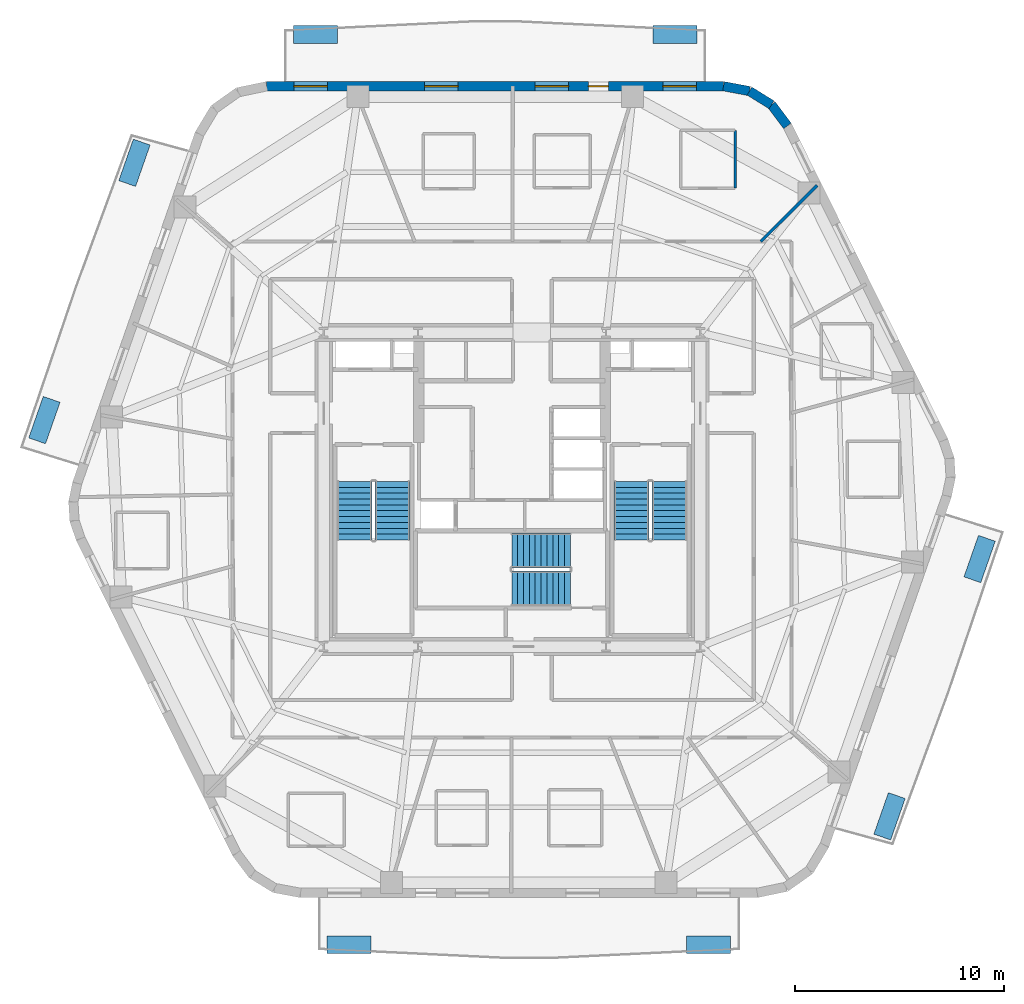
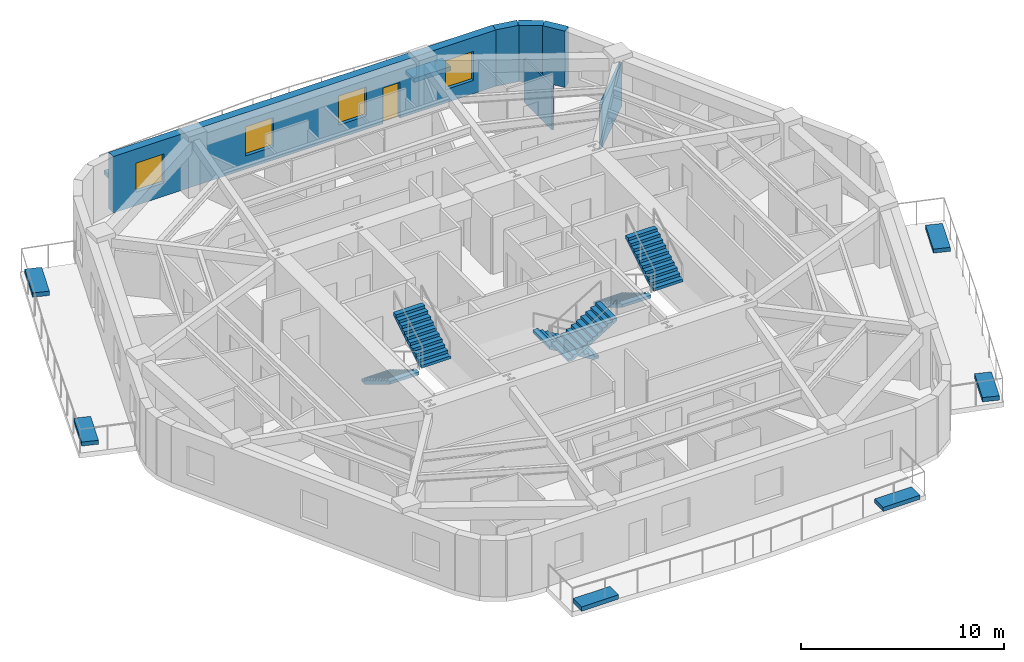
# One storey, part 7 of 11: 8 discrete accessories, 6 stair flights, 6 walls, 4 windows, 1 door, 5 openings, 3 elements without a shape of their own.
"""IFC4 building model written with IfcOpenShell, lengths in metres."""

from ifc_helpers import new_model, si_unit, direction, frame, frame_2d, origin, origin_2d, place, context, subcontext, project, spatial, polyline, rectangle, outline, extrude, material, layer, layer_set, type_object, element, fill, aggregate, save


model = new_model("IFC4")

# Units and contexts
model_context = context("Model", 3, precision=1e-05, world=origin(), true_north=direction((0.0, 1.0)))
body_context = subcontext(model_context, "Body", "Model", "MODEL_VIEW")
ifc_project = project(units=[si_unit("LENGTHUNIT", "METRE"), si_unit("AREAUNIT", "SQUARE_METRE"), si_unit("VOLUMEUNIT", "CUBIC_METRE"), si_unit("PLANEANGLEUNIT", "RADIAN"), si_unit("MASSUNIT", "GRAM", prefix="KILO")], contexts=[model_context])

# Site, building, storey
site_placement = place(None, origin())
site = spatial("IfcSite", under=ifc_project, at=site_placement, CompositionType="ELEMENT")
building_placement = place(site_placement, origin())
building = spatial("IfcBuilding", under=site, at=building_placement, Name="Kilnhurst Terrace Hotel", CompositionType="ELEMENT")
storey_placement = place(building_placement, frame((0.0, 0.0, 162.800048828125)))
storey = spatial("IfcBuildingStorey", under=building, at=storey_placement, Name="L40", CompositionType="ELEMENT", Elevation=162.800048828125)

# Walls
ifc_material_1 = material(Name="Precast concrete C40/50", Category="concrete")
ifc_layer_1 = layer(ifc_material_1, 0.449951171875, Name="Precast concrete C40/50")
ifc_layer_set_1 = layer_set([ifc_layer_1], Name="Precast concrete C40/50")
wall_type_1 = type_object("IfcWallType", Name="WL-BRK-450", PredefinedType="SOLIDWALL", material=ifc_layer_set_1)
wall_1_placement = place(storey_placement, frame((13.162353515625, 17.380615234375, 0.0), z_axis=(0.0, 0.0, 1.0), x_axis=(-0.601515770517, 0.798860925205, 0.0)))
element("IfcWall", 1, at=wall_1_placement, inside=storey, type_object=wall_type_1, Name="L40 Rounded Corner Brick Wall C4.1", PredefinedType="SOLIDWALL", context=body_context, shape_type="SweptSolid", body=[
    extrude(rectangle(XDim=1.261962890625, YDim=0.449951171875, at=frame_2d((0.630859375, 0.0))), origin(), (0.0, 0.0, 1.0), 3.39990234375),
])
wall_2_placement = place(storey_placement, frame((12.4033203125, 18.388671875, 0.0), z_axis=(0.0, 0.0, 1.0), x_axis=(-0.849795170926, 0.527113049991, 0.0)))
element("IfcWall", 2, at=wall_2_placement, inside=storey, type_object=wall_type_1, Name="L40 Rounded Corner Brick Wall C4.2", PredefinedType="SOLIDWALL", context=body_context, shape_type="SweptSolid", body=[
    extrude(rectangle(XDim=1.24072265625, YDim=0.449951171875, at=frame_2d((0.620361328125, 0.0))), origin(), (0.0, 0.0, 1.0), 3.39990234375),
])
wall_3_placement = place(storey_placement, frame((11.348876953125, 19.042724609375, 0.0), z_axis=(0.0, 0.0, 1.0), x_axis=(-0.982931267051, 0.183973161772, 0.0)))
element("IfcWall", 3, at=wall_3_placement, inside=storey, type_object=wall_type_1, Name="L40 Rounded Corner Brick Wall C4.3", PredefinedType="SOLIDWALL", context=body_context, shape_type="SweptSolid", body=[
    extrude(rectangle(XDim=1.261962890625, YDim=0.449951171875, at=frame_2d((0.630859375, 0.0))), origin(), (0.0, 0.0, 1.0), 3.39990234375),
])

# Wall, openings, door, windows
wall_4_placement = place(storey_placement, frame((10.1083984375, 19.27490234375, 0.0), z_axis=(0.0, 0.0, 1.0), x_axis=(-1.0, 0.0, 0.0)))
wall_4 = element("IfcWall", 4, at=wall_4_placement, inside=storey, type_object=wall_type_1, Name="L40 Exterior Brick Facade Wall F4", PredefinedType="SOLIDWALL", context=body_context, shape_type="SweptSolid", body=[
    extrude(rectangle(XDim=21.828857421875, YDim=0.449951171875, at=frame_2d((10.91455078125, 0.0))), origin(), (0.0, 0.0, 1.0), 3.39990234375),
])
opening_1_placement = place(wall_4_placement, frame((5.5029296875, 0.0, 0.0)))
opening_1 = element("IfcOpeningElement", 5, at=opening_1_placement, cuts=wall_4, Name="Opening BD-950", PredefinedType="OPENING", context=body_context, shape_type="SweptSolid", body=[
    extrude(rectangle(XDim=0.949951171875, YDim=2.14990234375, at=frame_2d((0.47509765625, 1.074951171875))), frame((0.0, 0.23486328125, 0.0), z_axis=(0.0, -1.0, 0.0), x_axis=(1.0, 0.0, 0.0)), (0.0, 0.0, 1.0), 0.469970703125),
])
opening_2_placement = place(wall_4_placement, frame((1.297119140625, 0.0, 0.800048828125)))
opening_2 = element("IfcOpeningElement", 6, at=opening_2_placement, cuts=wall_4, Name="Opening W-05", PredefinedType="OPENING", context=body_context, shape_type="SweptSolid", body=[
    extrude(rectangle(XDim=1.60009765625, YDim=1.75, at=frame_2d((0.800048828125, 0.875))), frame((0.0, 0.23486328125, 0.0), z_axis=(0.0, -1.0, 0.0), x_axis=(1.0, 0.0, 0.0)), (0.0, 0.0, 1.0), 0.469970703125),
])
opening_3_placement = place(wall_4_placement, frame((7.402099609375, 0.0, 0.800048828125)))
opening_3 = element("IfcOpeningElement", 7, at=opening_3_placement, cuts=wall_4, Name="Opening W-05", PredefinedType="OPENING", context=body_context, shape_type="SweptSolid", body=[
    extrude(rectangle(XDim=1.60009765625, YDim=1.75, at=frame_2d((0.800048828125, 0.875))), frame((0.0, 0.23486328125, 0.0), z_axis=(0.0, -1.0, 0.0), x_axis=(1.0, 0.0, 0.0)), (0.0, 0.0, 1.0), 0.469970703125),
])
opening_4_placement = place(wall_4_placement, frame((12.68408203125, 0.0, 0.800048828125)))
opening_4 = element("IfcOpeningElement", 8, at=opening_4_placement, cuts=wall_4, Name="Opening W-05", PredefinedType="OPENING", context=body_context, shape_type="SweptSolid", body=[
    extrude(rectangle(XDim=1.60009765625, YDim=1.75, at=frame_2d((0.800048828125, 0.875))), frame((0.0, 0.23486328125, 0.0), z_axis=(0.0, -1.0, 0.0), x_axis=(1.0, 0.0, 0.0)), (0.0, 0.0, 1.0), 0.469970703125),
])
opening_5_placement = place(wall_4_placement, frame((18.93310546875, 0.0, 0.800048828125)))
opening_5 = element("IfcOpeningElement", 9, at=opening_5_placement, cuts=wall_4, Name="Opening W-05", PredefinedType="OPENING", context=body_context, shape_type="SweptSolid", body=[
    extrude(rectangle(XDim=1.60009765625, YDim=1.75, at=frame_2d((0.800048828125, 0.875))), frame((0.0, 0.23486328125, 0.0), z_axis=(0.0, -1.0, 0.0), x_axis=(1.0, 0.0, 0.0)), (0.0, 0.0, 1.0), 0.469970703125),
])
ifc_material_2 = material(Name="Thermally Broken Bronze Aluminium Alloy 6063-T6 and Laminated Glass", Category="aluminium")
door_type = type_object("IfcDoorType", Name="DR-EXT-BAL-950", OperationType="NOTDEFINED", PredefinedType="DOOR", material=ifc_material_2)
door_placement = place(opening_1_placement, origin())
door = element("IfcDoor", 10, at=door_placement, inside=storey, type_object=door_type, Name="L40 Planted Balcony Door BAL-L2A", OperationType="SINGLE_SWING_RIGHT", OverallHeight=2.14990234375, OverallWidth=0.949951171875, PredefinedType="DOOR", context=body_context, shape_type="SweptSolid", body=[
    extrude(rectangle(XDim=0.949951171875, YDim=2.14990234375, at=frame_2d((0.47509765625, 1.074951171875))), frame((0.0, 0.02490234375, 0.0), z_axis=(0.0, -1.0, 0.0), x_axis=(1.0, 0.0, 0.0)), (0.0, 0.0, 1.0), 0.050048828125),
])
fill(opening_1, door)
ifc_material_3 = material(Name="Thermally Broken Bronze Aluminium Alloy 6063-T6 and Low-E Glass", Category="aluminium")
window_type = type_object("IfcWindowType", Name="WIN-1600X1750", PartitioningType="SINGLE_PANEL", PredefinedType="WINDOW", material=ifc_material_3)
window_1_placement = place(opening_2_placement, origin())
window_1 = element("IfcWindow", 11, at=window_1_placement, inside=storey, type_object=window_type, Name="L40 Deep-Set Masonry Window F4.1", OverallHeight=1.75, OverallWidth=1.60009765625, PartitioningType="SINGLE_PANEL", PredefinedType="WINDOW", context=body_context, shape_type="SweptSolid", body=[
    extrude(rectangle(XDim=1.60009765625, YDim=1.75, at=frame_2d((0.800048828125, 0.875))), frame((0.0, 0.030029296875, 0.0), z_axis=(0.0, -1.0, 0.0), x_axis=(1.0, 0.0, 0.0)), (0.0, 0.0, 1.0), 0.06005859375),
])
fill(opening_2, window_1)
window_2_placement = place(opening_3_placement, origin())
window_2 = element("IfcWindow", 12, at=window_2_placement, inside=storey, type_object=window_type, Name="L40 Deep-Set Masonry Window F4.2", OverallHeight=1.75, OverallWidth=1.60009765625, PartitioningType="SINGLE_PANEL", PredefinedType="WINDOW", context=body_context, shape_type="SweptSolid", body=[
    extrude(rectangle(XDim=1.60009765625, YDim=1.75, at=frame_2d((0.800048828125, 0.875))), frame((0.0, 0.030029296875, 0.0), z_axis=(0.0, -1.0, 0.0), x_axis=(1.0, 0.0, 0.0)), (0.0, 0.0, 1.0), 0.06005859375),
])
fill(opening_3, window_2)
window_3_placement = place(opening_4_placement, origin())
window_3 = element("IfcWindow", 13, at=window_3_placement, inside=storey, type_object=window_type, Name="L40 Deep-Set Masonry Window F4.3", OverallHeight=1.75, OverallWidth=1.60009765625, PartitioningType="SINGLE_PANEL", PredefinedType="WINDOW", context=body_context, shape_type="SweptSolid", body=[
    extrude(rectangle(XDim=1.60009765625, YDim=1.75, at=frame_2d((0.800048828125, 0.875))), frame((0.0, 0.030029296875, 0.0), z_axis=(0.0, -1.0, 0.0), x_axis=(1.0, 0.0, 0.0)), (0.0, 0.0, 1.0), 0.06005859375),
])
fill(opening_4, window_3)
window_4_placement = place(opening_5_placement, origin())
window_4 = element("IfcWindow", 14, at=window_4_placement, inside=storey, type_object=window_type, Name="L40 Deep-Set Masonry Window F4.4", OverallHeight=1.75, OverallWidth=1.60009765625, PartitioningType="SINGLE_PANEL", PredefinedType="WINDOW", context=body_context, shape_type="SweptSolid", body=[
    extrude(rectangle(XDim=1.60009765625, YDim=1.75, at=frame_2d((0.800048828125, 0.875))), frame((0.0, 0.030029296875, 0.0), z_axis=(0.0, -1.0, 0.0), x_axis=(1.0, 0.0, 0.0)), (0.0, 0.0, 1.0), 0.06005859375),
])
fill(opening_5, window_4)

# Walls
ifc_material_4 = material(Name="STC-58 Acoustic Twin-Frame Guestroom Demising Partition")
ifc_layer_2 = layer(ifc_material_4, 0.14990234375, Name="STC-58 Acoustic Twin-Frame Guestroom Demising Partition")
ifc_layer_set_2 = layer_set([ifc_layer_2], Name="STC-58 Acoustic Twin-Frame Guestroom Demising Partition")
wall_type_2 = type_object("IfcWallType", Name="WL-DEM-150", PredefinedType="PARTITIONING", material=ifc_layer_set_2)
wall_5_placement = place(storey_placement, frame((11.8818359375, 11.85009765625, 0.0), z_axis=(0.0, 0.0, 1.0), x_axis=(0.708037373639, 0.706174962407, 0.0)))
element("IfcWall", 15, at=wall_5_placement, inside=storey, type_object=wall_type_2, Name="L40 Interior Wall WL-L40-DEM-COL02-03-1", PredefinedType="PARTITIONING", context=body_context, shape_type="SweptSolid", body=[
    extrude(rectangle(XDim=3.801513671875, YDim=0.14990234375, at=frame_2d((1.90087890625, 0.0))), origin(), (0.0, 0.0, 1.0), 2.639892578125),
])
ifc_material_5 = material(Name="120 mm Moisture-Resistant Tile-Backed Bathroom Partition")
ifc_layer_3 = layer(ifc_material_5, 0.1201171875, Name="120 mm Moisture-Resistant Tile-Backed Bathroom Partition")
ifc_layer_set_3 = layer_set([ifc_layer_3], Name="120 mm Moisture-Resistant Tile-Backed Bathroom Partition")
wall_type_3 = type_object("IfcWallType", Name="WL-PART-120", PredefinedType="PARTITIONING", material=ifc_layer_set_3)
wall_6_placement = place(storey_placement, frame((10.657958984375, 14.410888671875, 0.0), z_axis=(0.0, 0.0, 1.0), x_axis=(0.0, 1.0, 0.0)))
element("IfcWall", 16, at=wall_6_placement, inside=storey, type_object=wall_type_3, Name="L40 Interior Wall WL-L40-BTH-03-2", PredefinedType="PARTITIONING", context=body_context, shape_type="SweptSolid", body=[
    extrude(rectangle(XDim=2.75, YDim=0.1201171875, at=frame_2d((1.375, 0.0))), origin(), (0.0, 0.0, 1.0), 2.639892578125),
])

# Stair, stair flights
ifc_material_6 = material(Name="Concrete C50/60", Category="concrete")
stair_type = type_object("IfcStairType", Name="STR-CORE-1660", PredefinedType="HALF_TURN_STAIR", material=ifc_material_6)
stair_1_placement = place(storey_placement, origin())
stair_1 = element("IfcStair", 17, at=stair_1_placement, inside=storey, type_object=stair_type, Name="L40 ST-1", PredefinedType="HALF_TURN_STAIR")
stair_flight_type = type_object("IfcStairFlightType", Name="FLT-RC-1660", PredefinedType="STRAIGHT", material=ifc_material_6)
stair_flight_1_placement = place(storey_placement, frame((-7.52001953125, 0.389892578125, 0.0), z_axis=(0.0, 0.0, 1.0), x_axis=(0.0, -1.0, 0.0)))
stair_flight_1 = element("IfcStairFlight", 18, at=stair_flight_1_placement, type_object=stair_flight_type, Name="ST-1 flight 1", NumberOfRisers=11, NumberOfTreads=10, PredefinedType="STRAIGHT", RiserHeight=0.168181818, TreadLength=0.28, context=body_context, shape_type="SweptSolid", body=[
    extrude(outline(polyline([(0.0, 0.0), (0.0, 0.168212890625), (0.280029296875, 0.168212890625), (0.280029296875, 0.33642578125), (0.56005859375, 0.33642578125), (0.56005859375, 0.504638671875), (0.840087890625, 0.504638671875), (0.840087890625, 0.672607421875), (1.1201171875, 0.672607421875), (1.1201171875, 0.8408203125), (1.39990234375, 0.8408203125), (1.39990234375, 1.009033203125), (1.679931640625, 1.009033203125), (1.679931640625, 1.17724609375), (1.9599609375, 1.17724609375), (1.9599609375, 1.345458984375), (2.239990234375, 1.345458984375), (2.239990234375, 1.513671875), (2.52001953125, 1.513671875), (2.52001953125, 1.681884765625), (2.800048828125, 1.681884765625), (2.800048828125, 1.85009765625), (2.800048828125, 1.5068359375), (0.291015625, 0.0), (0.0, 0.0)])), frame((0.0, 0.830078125, 0.0), z_axis=(0.0, -1.0, 0.0), x_axis=(1.0, 0.0, 0.0)), (0.0, 0.0, 1.0), 1.659912109375),
])
stair_flight_2_placement = place(storey_placement, frame((-5.7099609375, -2.409912109375, 1.849853515625), z_axis=(0.0, 0.0, 1.0), x_axis=(0.0, 1.0, 0.0)))
stair_flight_2 = element("IfcStairFlight", 19, at=stair_flight_2_placement, type_object=stair_flight_type, Name="ST-1 flight 2", NumberOfRisers=11, NumberOfTreads=10, PredefinedType="STRAIGHT", RiserHeight=0.168181818, TreadLength=0.28, context=body_context, shape_type="SweptSolid", body=[
    extrude(outline(polyline([(0.0, 0.0), (0.0, 0.168212890625), (0.280029296875, 0.168212890625), (0.280029296875, 0.33642578125), (0.56005859375, 0.33642578125), (0.56005859375, 0.504638671875), (0.840087890625, 0.504638671875), (0.840087890625, 0.672607421875), (1.1201171875, 0.672607421875), (1.1201171875, 0.8408203125), (1.39990234375, 0.8408203125), (1.39990234375, 1.009033203125), (1.679931640625, 1.009033203125), (1.679931640625, 1.17724609375), (1.9599609375, 1.17724609375), (1.9599609375, 1.345458984375), (2.239990234375, 1.345458984375), (2.239990234375, 1.513671875), (2.52001953125, 1.513671875), (2.52001953125, 1.681884765625), (2.800048828125, 1.681884765625), (2.800048828125, 1.85009765625), (2.800048828125, 1.5068359375), (0.291015625, 0.0), (0.0, 0.0)])), frame((0.0, 0.830078125, 0.0), z_axis=(0.0, -1.0, 0.0), x_axis=(1.0, 0.0, 0.0)), (0.0, 0.0, 1.0), 1.659912109375),
])
aggregate(stair_1, [stair_flight_1, stair_flight_2])

stair_2_placement = place(storey_placement, origin())
stair_2 = element("IfcStair", 20, at=stair_2_placement, inside=storey, type_object=stair_type, Name="L40 ST-2", PredefinedType="HALF_TURN_STAIR")
stair_flight_3_placement = place(storey_placement, frame((5.7099609375, 0.389892578125, 0.0), z_axis=(0.0, 0.0, 1.0), x_axis=(0.0, -1.0, 0.0)))
stair_flight_3 = element("IfcStairFlight", 21, at=stair_flight_3_placement, type_object=stair_flight_type, Name="ST-2 flight 1", NumberOfRisers=11, NumberOfTreads=10, PredefinedType="STRAIGHT", RiserHeight=0.168181818, TreadLength=0.28, context=body_context, shape_type="SweptSolid", body=[
    extrude(outline(polyline([(0.0, 0.0), (0.0, 0.168212890625), (0.280029296875, 0.168212890625), (0.280029296875, 0.33642578125), (0.56005859375, 0.33642578125), (0.56005859375, 0.504638671875), (0.840087890625, 0.504638671875), (0.840087890625, 0.672607421875), (1.1201171875, 0.672607421875), (1.1201171875, 0.8408203125), (1.39990234375, 0.8408203125), (1.39990234375, 1.009033203125), (1.679931640625, 1.009033203125), (1.679931640625, 1.17724609375), (1.9599609375, 1.17724609375), (1.9599609375, 1.345458984375), (2.239990234375, 1.345458984375), (2.239990234375, 1.513671875), (2.52001953125, 1.513671875), (2.52001953125, 1.681884765625), (2.800048828125, 1.681884765625), (2.800048828125, 1.85009765625), (2.800048828125, 1.5068359375), (0.291015625, 0.0), (0.0, 0.0)])), frame((0.0, 0.830078125, 0.0), z_axis=(0.0, -1.0, 0.0), x_axis=(1.0, 0.0, 0.0)), (0.0, 0.0, 1.0), 1.659912109375),
])
stair_flight_4_placement = place(storey_placement, frame((7.52001953125, -2.409912109375, 1.849853515625), z_axis=(0.0, 0.0, 1.0), x_axis=(0.0, 1.0, 0.0)))
stair_flight_4 = element("IfcStairFlight", 22, at=stair_flight_4_placement, type_object=stair_flight_type, Name="ST-2 flight 2", NumberOfRisers=11, NumberOfTreads=10, PredefinedType="STRAIGHT", RiserHeight=0.168181818, TreadLength=0.28, context=body_context, shape_type="SweptSolid", body=[
    extrude(outline(polyline([(0.0, 0.0), (0.0, 0.168212890625), (0.280029296875, 0.168212890625), (0.280029296875, 0.33642578125), (0.56005859375, 0.33642578125), (0.56005859375, 0.504638671875), (0.840087890625, 0.504638671875), (0.840087890625, 0.672607421875), (1.1201171875, 0.672607421875), (1.1201171875, 0.8408203125), (1.39990234375, 0.8408203125), (1.39990234375, 1.009033203125), (1.679931640625, 1.009033203125), (1.679931640625, 1.17724609375), (1.9599609375, 1.17724609375), (1.9599609375, 1.345458984375), (2.239990234375, 1.345458984375), (2.239990234375, 1.513671875), (2.52001953125, 1.513671875), (2.52001953125, 1.681884765625), (2.800048828125, 1.681884765625), (2.800048828125, 1.85009765625), (2.800048828125, 1.5068359375), (0.291015625, 0.0), (0.0, 0.0)])), frame((0.0, 0.830078125, 0.0), z_axis=(0.0, -1.0, 0.0), x_axis=(1.0, 0.0, 0.0)), (0.0, 0.0, 1.0), 1.659912109375),
])
aggregate(stair_2, [stair_flight_3, stair_flight_4])

stair_3_placement = place(storey_placement, origin())
stair_3 = element("IfcStair", 23, at=stair_3_placement, inside=storey, type_object=stair_type, Name="L40 ST-3", PredefinedType="HALF_TURN_STAIR")
stair_flight_5_placement = place(storey_placement, frame((2.7900390625, -2.909912109375, 0.0), z_axis=(0.0, 0.0, 1.0), x_axis=(-1.0, 0.0, 0.0)))
stair_flight_5 = element("IfcStairFlight", 24, at=stair_flight_5_placement, type_object=stair_flight_type, Name="ST-3 flight 1", NumberOfRisers=11, NumberOfTreads=10, PredefinedType="STRAIGHT", RiserHeight=0.168181818, TreadLength=0.28, context=body_context, shape_type="SweptSolid", body=[
    extrude(outline(polyline([(0.0, 0.0), (0.0, 0.168212890625), (0.280029296875, 0.168212890625), (0.280029296875, 0.33642578125), (0.56005859375, 0.33642578125), (0.56005859375, 0.504638671875), (0.840087890625, 0.504638671875), (0.840087890625, 0.672607421875), (1.1201171875, 0.672607421875), (1.1201171875, 0.8408203125), (1.39990234375, 0.8408203125), (1.39990234375, 1.009033203125), (1.679931640625, 1.009033203125), (1.679931640625, 1.17724609375), (1.9599609375, 1.17724609375), (1.9599609375, 1.345458984375), (2.239990234375, 1.345458984375), (2.239990234375, 1.513671875), (2.52001953125, 1.513671875), (2.52001953125, 1.681884765625), (2.800048828125, 1.681884765625), (2.800048828125, 1.85009765625), (2.800048828125, 1.5068359375), (0.291015625, 0.0), (0.0, 0.0)])), frame((0.0, 0.830078125, 0.0), z_axis=(0.0, -1.0, 0.0), x_axis=(1.0, 0.0, 0.0)), (0.0, 0.0, 1.0), 1.659912109375),
])
stair_flight_6_placement = place(storey_placement, frame((-0.010009765625, -4.719970703125, 1.849853515625), z_axis=(0.0, 0.0, 1.0), x_axis=(1.0, 0.0, 0.0)))
stair_flight_6 = element("IfcStairFlight", 25, at=stair_flight_6_placement, type_object=stair_flight_type, Name="ST-3 flight 2", NumberOfRisers=11, NumberOfTreads=10, PredefinedType="STRAIGHT", RiserHeight=0.168181818, TreadLength=0.28, context=body_context, shape_type="SweptSolid", body=[
    extrude(outline(polyline([(0.0, 0.0), (0.0, 0.168212890625), (0.280029296875, 0.168212890625), (0.280029296875, 0.33642578125), (0.56005859375, 0.33642578125), (0.56005859375, 0.504638671875), (0.840087890625, 0.504638671875), (0.840087890625, 0.672607421875), (1.1201171875, 0.672607421875), (1.1201171875, 0.8408203125), (1.39990234375, 0.8408203125), (1.39990234375, 1.009033203125), (1.679931640625, 1.009033203125), (1.679931640625, 1.17724609375), (1.9599609375, 1.17724609375), (1.9599609375, 1.345458984375), (2.239990234375, 1.345458984375), (2.239990234375, 1.513671875), (2.52001953125, 1.513671875), (2.52001953125, 1.681884765625), (2.800048828125, 1.681884765625), (2.800048828125, 1.85009765625), (2.800048828125, 1.5068359375), (0.291015625, 0.0), (0.0, 0.0)])), frame((0.0, 0.830078125, 0.0), z_axis=(0.0, -1.0, 0.0), x_axis=(1.0, 0.0, 0.0)), (0.0, 0.0, 1.0), 1.659912109375),
])
aggregate(stair_3, [stair_flight_5, stair_flight_6])

# Discrete accessories
ifc_material_7 = material(Name="Precast Concrete C40/50 Shrub Planter", Category="concrete")
discrete_accessory_type_1 = type_object("IfcDiscreteAccessoryType", Name="PLN-SHRUB-240", PredefinedType="USERDEFINED", material=ifc_material_7)
for number, where, z_axis, x_axis, name in (
    (26, (9.3935546875, -21.75, 0.0), (0.0, 0.0, 1.0), (1.0, 0.0, 0.0), "L40 Structural Tree Planter Box PLANTER BAL-L1A.2"),
    (27, (22.34619140625, -3.319580078125, 0.0), (0.0, 0.0, 1.0), (0.330432029284, 0.943829790811, 0.0), "L40 Structural Tree Planter Box PLANTER BAL-L1B.2"),
    (28, (-9.3935546875, 21.75, 0.0), (0.0, 0.0, 1.0), (-1.0, 0.0, 0.0), "L40 Structural Tree Planter Box PLANTER BAL-L2A.2"),
    (29, (-22.34619140625, 3.319580078125, 0.0), (0.0, 0.0, 1.0), (-0.330432029284, -0.943829790811, 0.0), "L40 Structural Tree Planter Box PLANTER BAL-L2B.2"),
):
    element("IfcDiscreteAccessory", number, at=place(storey_placement, frame(where, z_axis=z_axis, x_axis=x_axis)), inside=storey, type_object=discrete_accessory_type_1, Name=name, ObjectType="PLANTER", PredefinedType="USERDEFINED", context=body_context, shape_type="SweptSolid", body=[
        extrude(rectangle(XDim=2.10009765625, YDim=0.85009765625, at=origin_2d()), origin(), (0.0, 0.0, 1.0), 0.239990234375),
    ])
ifc_material_8 = material(Name="Precast Concrete C40/50 Tree Planter", Category="concrete")
discrete_accessory_type_2 = type_object("IfcDiscreteAccessoryType", Name="PLN-TREE-260", PredefinedType="USERDEFINED", material=ifc_material_8)
for number, where, z_axis, x_axis, name in (
    (30, (-7.779296875, -21.75, 0.0), (0.0, 0.0, 1.0), (1.0, 0.0, 0.0), "L40 Structural Tree Planter Box PLANTER BAL-L1A.1"),
    (31, (18.04150390625, -15.614990234375, 0.0), (0.0, 0.0, 1.0), (0.330432029284, 0.943829790811, 0.0), "L40 Structural Tree Planter Box PLANTER BAL-L1B.1"),
    (32, (7.779296875, 21.75, 0.0), (0.0, 0.0, 1.0), (-1.0, 0.0, 0.0), "L40 Structural Tree Planter Box PLANTER BAL-L2A.1"),
    (33, (-18.04150390625, 15.614990234375, 0.0), (0.0, 0.0, 1.0), (-0.330432029284, -0.943829790811, 0.0), "L40 Structural Tree Planter Box PLANTER BAL-L2B.1"),
):
    element("IfcDiscreteAccessory", number, at=place(storey_placement, frame(where, z_axis=z_axis, x_axis=x_axis)), inside=storey, type_object=discrete_accessory_type_2, Name=name, ObjectType="PLANTER", PredefinedType="USERDEFINED", context=body_context, shape_type="SweptSolid", body=[
        extrude(rectangle(XDim=2.10009765625, YDim=0.85009765625, at=origin_2d()), origin(), (0.0, 0.0, 1.0), 0.260009765625),
    ])

save(model, "model.ifc")
